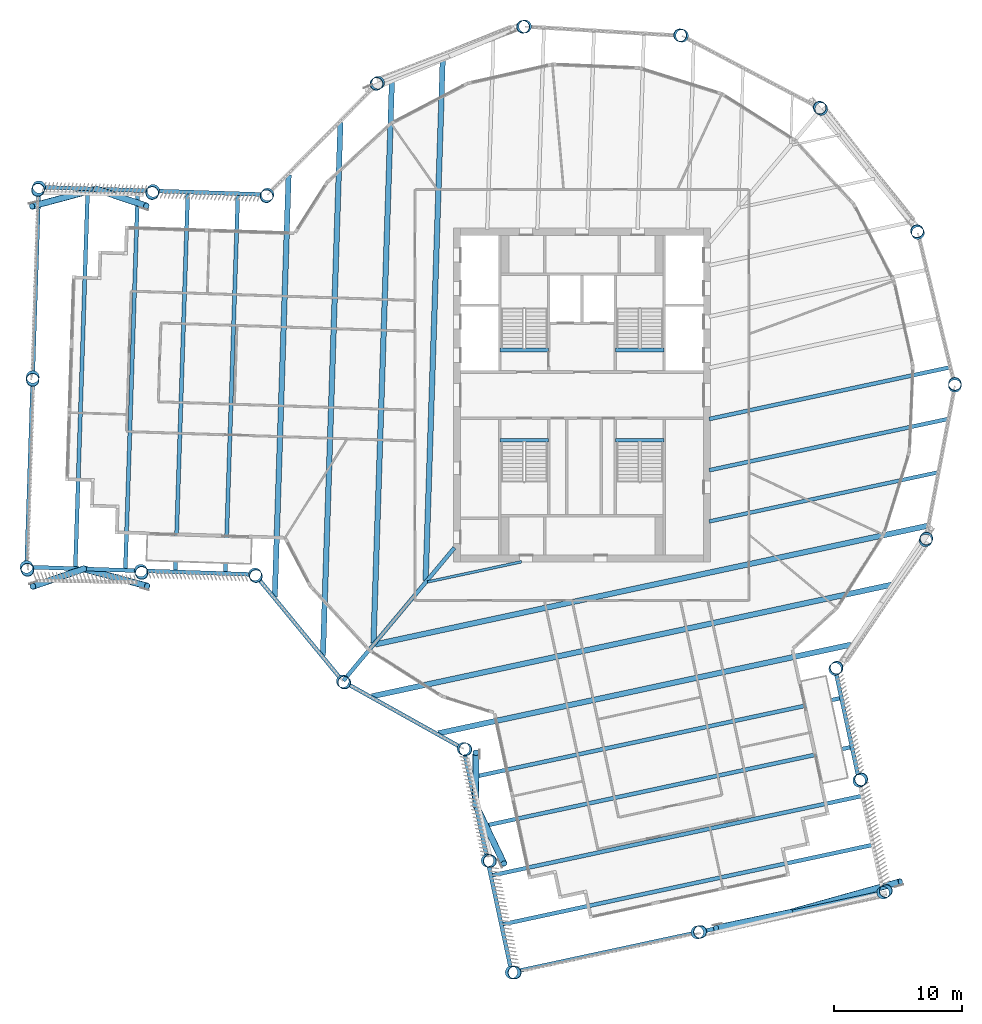
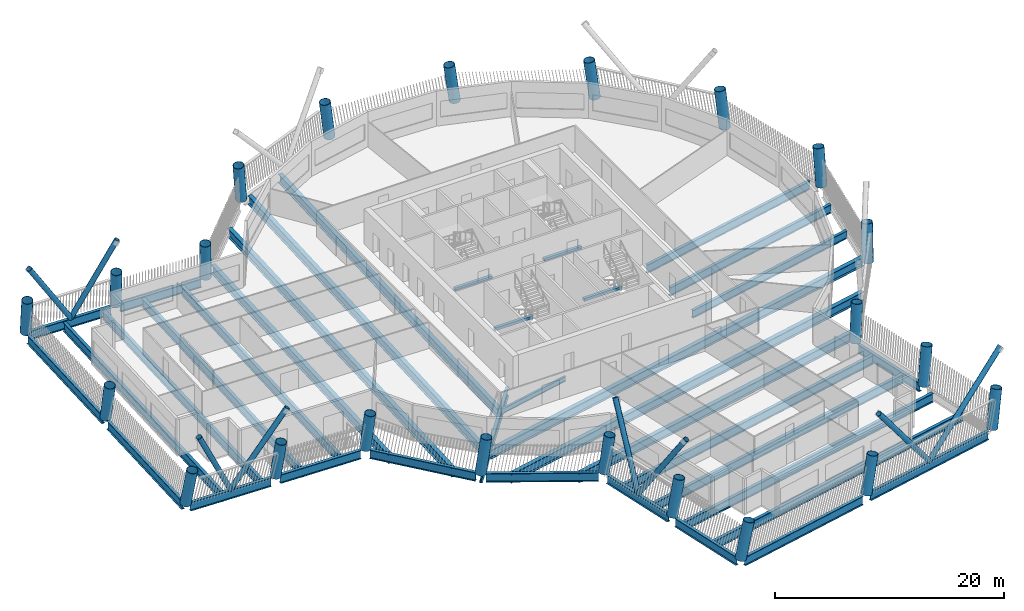
# One storey, part 1 of 21: 37 beams, 22 columns, 8 members.
"""IFC4 building model written with IfcOpenShell, lengths in metres."""

from ifc_helpers import new_model, si_unit, direction, frame, origin, origin_2d, place, context, subcontext, project, spatial, rectangle, hollow_circle, i_section, extrude, material, material_profile, profile_set, type_object, element, save


model = new_model("IFC4")

# Units and contexts
model_context = context("Model", 3, precision=1e-05, world=origin(), true_north=direction((0.0, 1.0)))
body_context = subcontext(model_context, "Body", "Model", "MODEL_VIEW")
ifc_project = project(units=[si_unit("LENGTHUNIT", "METRE"), si_unit("AREAUNIT", "SQUARE_METRE"), si_unit("VOLUMEUNIT", "CUBIC_METRE"), si_unit("PLANEANGLEUNIT", "RADIAN"), si_unit("MASSUNIT", "GRAM", prefix="KILO")], contexts=[model_context])

# Site, building, storey
site_placement = place(None, origin())
site = spatial("IfcSite", under=ifc_project, at=site_placement, CompositionType="ELEMENT")
building_placement = place(site_placement, origin())
building = spatial("IfcBuilding", under=site, at=building_placement, Name="Tarsis Ring Headquarters", CompositionType="ELEMENT")
storey_placement = place(building_placement, frame((0.0, 0.0, 278.60009765625)))
storey = spatial("IfcBuildingStorey", under=building, at=storey_placement, Name="L65", CompositionType="ELEMENT", Elevation=278.60009765625)

# Columns
ifc_material_1 = material(Name="Structural steel S355", Category="steel")
ifc_material_profile_1 = material_profile(ifc_material_1, hollow_circle(Radius=0.508056640625, WallThickness=0.0400390625, at=origin_2d()), Name="CHS 1016x40")
ifc_profile_set_1 = profile_set([ifc_material_profile_1], Name="Structural steel S355")
column_type = type_object("IfcColumnType", Name="XC Exo column CHS 1016x40", PredefinedType="COLUMN", material=ifc_profile_set_1)
for number, where, z_axis, x_axis, name in (
    (1, (-18.625244140625, -22.29150390625, 0.0009765625), (0.099631455445, -0.081804630187, 0.991655976418), (0.634575005715, 0.772861282587, 0.0), "Exo column XC6 F1"),
    (2, (-9.221923828125, -27.5458984375, 0.0009765625), (0.122613714114, -0.039815294198, 0.991655494342), (0.308846378368, 0.951111935878, 0.0), "Exo column XC6 AK"),
):
    element("IfcColumn", number, at=place(storey_placement, frame(where, z_axis=z_axis, x_axis=x_axis)), inside=storey, type_object=column_type, Name=name, PredefinedType="COLUMN", context=body_context, shape_type="SweptSolid", body=[
        extrude(hollow_circle(Radius=0.508056640625, WallThickness=0.0400390625, at=origin_2d()), origin(), (0.0, 0.0, 1.0), 3.930419921875),
    ])
column_1_placement = place(storey_placement, frame((-7.352783203125, -36.24951171875, 0.001220703125), z_axis=(0.160309523268, -0.031085462685, 0.986577189458), x_axis=(0.190363150408, 0.981713741865, 0.0)))
element("IfcColumn", 3, at=column_1_placement, inside=storey, type_object=column_type, Name="Exo column XC6 AI1", PredefinedType="COLUMN", context=body_context, shape_type="SweptSolid", body=[
    extrude(hollow_circle(Radius=0.508056640625, WallThickness=0.0400390625, at=origin_2d()), origin(), (0.0, 0.0, 1.0), 3.950439453125),
])
column_2_placement = place(storey_placement, frame((-5.483642578125, -44.953369140625, 0.00146484375), z_axis=(0.197401237683, -0.02234962691, 0.98006798006), x_axis=(0.112500530614, 0.993651664625, 0.0)))
element("IfcColumn", 4, at=column_2_placement, inside=storey, type_object=column_type, Name="Exo column XC6 AT1", PredefinedType="COLUMN", context=body_context, shape_type="SweptSolid", body=[
    extrude(hollow_circle(Radius=0.508056640625, WallThickness=0.0400390625, at=origin_2d()), origin(), (0.0, 0.0, 1.0), 3.976318359375),
])
column_3_placement = place(storey_placement, frame((8.986572265625, -41.845947265625, 0.00146484375), z_axis=(0.183545788104, 0.04110244266, 0.982151481634), x_axis=(-0.218523489126, 0.975831688715, 0.0)))
element("IfcColumn", 5, at=column_3_placement, inside=storey, type_object=column_type, Name="Exo column XC6 AT2", PredefinedType="COLUMN", context=body_context, shape_type="SweptSolid", body=[
    extrude(hollow_circle(Radius=0.508056640625, WallThickness=0.0400390625, at=origin_2d()), origin(), (0.0, 0.0, 1.0), 3.9677734375),
])
column_4_placement = place(storey_placement, frame((23.45654296875, -38.738525390625, 0.00146484375), z_axis=(0.169034311763, 0.104380069014, 0.980067448005), x_axis=(-0.525407338988, 0.850850826019, 0.0)))
element("IfcColumn", 6, at=column_4_placement, inside=storey, type_object=column_type, Name="Exo column XC6 AT3", PredefinedType="COLUMN", context=body_context, shape_type="SweptSolid", body=[
    extrude(hollow_circle(Radius=0.508056640625, WallThickness=0.0400390625, at=origin_2d()), origin(), (0.0, 0.0, 1.0), 3.976318359375),
])
column_5_placement = place(storey_placement, frame((21.58740234375, -30.03466796875, 0.001220703125), z_axis=(0.131757790211, 0.096469939268, 0.98657662426), x_axis=(-0.590756448881, 0.806849935307, 0.0)))
element("IfcColumn", 7, at=column_5_placement, inside=storey, type_object=column_type, Name="Exo column XC6 AO1", PredefinedType="COLUMN", context=body_context, shape_type="SweptSolid", body=[
    extrude(hollow_circle(Radius=0.508056640625, WallThickness=0.0400390625, at=origin_2d()), origin(), (0.0, 0.0, 1.0), 3.950439453125),
])
for number, where, z_axis, x_axis, name in (
    (8, (19.71826171875, -21.330810546875, 0.0009765625), (0.093916765839, 0.088326482158, 0.991654210723), (-0.685094146539, 0.72845453556, 0.0), "Exo column XC6 AJ"),
    (9, (26.757568359375, -11.306884765625, 0.0009765625), (0.049132380802, 0.11919726771, 0.991654183941), (-0.92453834817, 0.381089022096, 0.0), "Exo column XC6 R1"),
    (10, (29.039306640625, 0.7275390625, 0.0009765625), (-0.004347979152, 0.128886524865, 0.991649816611), (-0.99943146214, -0.033715760169, 0.0), "Exo column XC6 R2"),
    (11, (26.15771484375, 12.632568359375, 0.0009765625), (-0.057021133673, 0.115595130464, 0.991658386809), (-0.896823729797, -0.442388062307, 0.0), "Exo column XC6 R3"),
    (12, (18.625244140625, 22.29150390625, 0.0009765625), (-0.099631455445, 0.081804630187, 0.991655976418), (-0.634575005715, -0.772861282587, 0.0), "Exo column XC6 R4"),
    (13, (7.781005859375, 27.987060546875, 0.0009765625), (-0.124477647972, 0.033417652, 0.991659505924), (-0.25928207658, -0.965801638415, 0.0), "Exo column XC6 R5"),
    (14, (-4.446533203125, 28.7060546875, 0.0009765625), (-0.127271536383, -0.020808181888, 0.991649623402), (0.161352104781, -0.986896903573, 0.0), "Exo column XC6 R6"),
    (15, (-15.8837890625, 24.3212890625, 0.0009765625), (-0.107271994404, -0.071431843408, 0.991660330438), (0.554255229792, -0.832346766827, 0.0), "Exo column XC6 R7"),
    (16, (-24.49658203125, 15.61181640625, 0.0009765625), (-0.068326236041, -0.109259862905, 0.991662143992), (0.847862879102, -0.530215558279, 0.0), "Exo column XC6 BJ"),
):
    element("IfcColumn", number, at=place(storey_placement, frame(where, z_axis=z_axis, x_axis=x_axis)), inside=storey, type_object=column_type, Name=name, PredefinedType="COLUMN", context=body_context, shape_type="SweptSolid", body=[
        extrude(hollow_circle(Radius=0.508056640625, WallThickness=0.0400390625, at=origin_2d()), origin(), (0.0, 0.0, 1.0), 3.930419921875),
    ])
column_6_placement = place(storey_placement, frame((-33.39404296875, 15.90380859375, 0.001220703125), z_axis=(-0.068907480424, -0.148012031942, 0.986582078462), x_axis=(0.906569575709, -0.422056399547, 0.0)))
element("IfcColumn", 17, at=column_6_placement, inside=storey, type_object=column_type, Name="Exo column XC6 BO1", PredefinedType="COLUMN", context=body_context, shape_type="SweptSolid", body=[
    extrude(hollow_circle(Radius=0.508056640625, WallThickness=0.0400390625, at=origin_2d()), origin(), (0.0, 0.0, 1.0), 3.950439453125),
])
column_7_placement = place(storey_placement, frame((-42.29150390625, 16.19580078125, 0.00146484375), z_axis=(-0.069443823825, -0.186104535822, 0.980072781521), x_axis=(0.936899570678, -0.349598619082, 0.0)))
element("IfcColumn", 18, at=column_7_placement, inside=storey, type_object=column_type, Name="Exo column XC6 BT3", PredefinedType="COLUMN", context=body_context, shape_type="SweptSolid", body=[
    extrude(hollow_circle(Radius=0.508056640625, WallThickness=0.0400390625, at=origin_2d()), origin(), (0.0, 0.0, 1.0), 3.976318359375),
])
column_8_placement = place(storey_placement, frame((-42.77685546875, 1.40380859375, 0.00146484375), z_axis=(-0.004553263753, -0.188037486868, 0.982151297572), x_axis=(0.999706953992, -0.024207563677, 0.0)))
element("IfcColumn", 19, at=column_8_placement, inside=storey, type_object=column_type, Name="Exo column XC6 BT2", PredefinedType="COLUMN", context=body_context, shape_type="SweptSolid", body=[
    extrude(hollow_circle(Radius=0.508056640625, WallThickness=0.0400390625, at=origin_2d()), origin(), (0.0, 0.0, 1.0), 3.9677734375),
])
column_9_placement = place(storey_placement, frame((-43.262451171875, -13.38818359375, 0.00146484375), z_axis=(0.060356694538, -0.189236350527, 0.980074830339), x_axis=(0.952714441232, 0.303867065455, 0.0)))
element("IfcColumn", 20, at=column_9_placement, inside=storey, type_object=column_type, Name="Exo column XC6 BT1", PredefinedType="COLUMN", context=body_context, shape_type="SweptSolid", body=[
    extrude(hollow_circle(Radius=0.508056640625, WallThickness=0.0400390625, at=origin_2d()), origin(), (0.0, 0.0, 1.0), 3.976318359375),
])
column_10_placement = place(storey_placement, frame((-34.364990234375, -13.68017578125, 0.001220703125), z_axis=(0.061738433906, -0.151163372706, 0.98657893781), x_axis=(0.925763844419, 0.378102240627, 0.0)))
element("IfcColumn", 21, at=column_10_placement, inside=storey, type_object=column_type, Name="Exo column XC6 BI1", PredefinedType="COLUMN", context=body_context, shape_type="SweptSolid", body=[
    extrude(hollow_circle(Radius=0.508056640625, WallThickness=0.0400390625, at=origin_2d()), origin(), (0.0, 0.0, 1.0), 3.950439453125),
])
column_11_placement = place(storey_placement, frame((-25.467529296875, -13.97216796875, 0.0009765625), z_axis=(0.062983900591, -0.112488997999, 0.991654805663), x_axis=(0.872538877279, 0.488544683358, 0.0)))
element("IfcColumn", 22, at=column_11_placement, inside=storey, type_object=column_type, Name="Exo column XC6 BK", PredefinedType="COLUMN", context=body_context, shape_type="SweptSolid", body=[
    extrude(hollow_circle(Radius=0.508056640625, WallThickness=0.0400390625, at=origin_2d()), origin(), (0.0, 0.0, 1.0), 3.930419921875),
])

# Beams
ifc_material_profile_2 = material_profile(ifc_material_1, i_section(OverallWidth=0.209228515625, OverallDepth=0.533447265625, WebThickness=0.01025390625, FlangeThickness=0.015625, at=origin_2d()), Name="W21x62")
ifc_profile_set_2 = profile_set([ifc_material_profile_2], Name="Structural steel S355")
beam_type_1 = type_object("IfcBeamType", Name="FB Floor beam W21x62", PredefinedType="JOIST", material=ifc_profile_set_2)
beam_1_placement = place(storey_placement, frame((-12.03662109375, -14.551513671875, -0.4267578125), z_axis=(0.977710731387, 0.209956485326, 0.0), x_axis=(-0.209956485326, 0.977710731387, 0.0)))
element("IfcBeam", 23, at=beam_1_placement, inside=storey, type_object=beam_type_1, Name="Floor beam FB3", PredefinedType="JOIST", context=body_context, shape_type="SweptSolid", body=[
    extrude(i_section(OverallWidth=0.209228515625, OverallDepth=0.533447265625, WebThickness=0.01025390625, FlangeThickness=0.015625, at=origin_2d()), origin(), (0.0, 0.0, 1.0), 7.48974609375),
])
ifc_material_profile_3 = material_profile(ifc_material_1, i_section(OverallWidth=0.2919921875, OverallDepth=0.835693359375, WebThickness=0.013916015625, FlangeThickness=0.018798828125, at=origin_2d()), Name="W33x118")
ifc_profile_set_3 = profile_set([ifc_material_profile_3], Name="Structural steel S355")
beam_type_2 = type_object("IfcBeamType", Name="FB Floor beam W33x118", PredefinedType="JOIST", material=ifc_profile_set_3)
beam_2_placement = place(storey_placement, frame((9.90234375, -9.84033203125, -0.577880859375), z_axis=(0.977708872779, 0.209965140178, 0.0), x_axis=(-0.209965140178, 0.977708872779, 0.0)))
element("IfcBeam", 24, at=beam_2_placement, inside=storey, type_object=beam_type_2, Name="Floor beam FB7", PredefinedType="JOIST", context=body_context, shape_type="SweptSolid", body=[
    extrude(i_section(OverallWidth=0.2919921875, OverallDepth=0.835693359375, WebThickness=0.013916015625, FlangeThickness=0.018798828125, at=origin_2d()), origin(), (0.0, 0.0, 1.0), 18.19970703125),
])
ifc_material_profile_4 = material_profile(ifc_material_1, i_section(OverallWidth=0.3046875, OverallDepth=0.904296875, WebThickness=0.01513671875, FlangeThickness=0.02001953125, at=origin_2d()), Name="W36x135")
ifc_profile_set_4 = profile_set([ifc_material_profile_4], Name="Structural steel S355")
beam_type_3 = type_object("IfcBeamType", Name="FB Floor beam W36x135", PredefinedType="JOIST", material=ifc_profile_set_4)
beam_3_placement = place(storey_placement, frame((9.90234375, -1.862548828125, -0.6123046875), z_axis=(0.977707777458, 0.209970240506, 0.0), x_axis=(-0.209970240506, 0.977707777458, 0.0)))
element("IfcBeam", 25, at=beam_3_placement, inside=storey, type_object=beam_type_3, Name="Floor beam FB8", PredefinedType="JOIST", context=body_context, shape_type="SweptSolid", body=[
    extrude(i_section(OverallWidth=0.3046875, OverallDepth=0.904296875, WebThickness=0.01513671875, FlangeThickness=0.02001953125, at=origin_2d()), origin(), (0.0, 0.0, 1.0), 19.160888671875),
])
beam_4_placement = place(storey_placement, frame((9.90234375, -5.851318359375, -0.6123046875), z_axis=(0.977710019544, 0.209959800158, 0.0), x_axis=(-0.209959800158, 0.977710019544, 0.0)))
element("IfcBeam", 26, at=beam_4_placement, inside=storey, type_object=beam_type_3, Name="Floor beam FB8", PredefinedType="JOIST", context=body_context, shape_type="SweptSolid", body=[
    extrude(i_section(OverallWidth=0.3046875, OverallDepth=0.904296875, WebThickness=0.01513671875, FlangeThickness=0.02001953125, at=origin_2d()), origin(), (0.0, 0.0, 1.0), 19.005859375),
])
ifc_material_profile_5 = material_profile(ifc_material_1, i_section(OverallWidth=0.309814453125, OverallDepth=0.949951171875, WebThickness=0.0244140625, FlangeThickness=0.0439453125, at=origin_2d()), Name="W36x256")
ifc_profile_set_5 = profile_set([ifc_material_profile_5], Name="Structural steel S355")
beam_type_4 = type_object("IfcBeamType", Name="FB Floor beam W36x256", PredefinedType="JOIST", material=ifc_profile_set_5)
for number, where, z_axis, x_axis, name in (
    (27, (-8.6845703125, -29.787353515625, -0.635009765625), (0.977710608154, 0.209957059191, 0.0), (-0.209957059191, 0.977710608154, 0.0), "Floor beam FB11"),
    (28, (-7.86572265625, -33.600341796875, -0.635009765625), (0.977710608154, 0.209957059191, 0.0), (-0.209957059191, 0.977710608154, 0.0), "Floor beam FB11"),
):
    element("IfcBeam", number, at=place(storey_placement, frame(where, z_axis=z_axis, x_axis=x_axis)), inside=storey, type_object=beam_type_4, Name=name, PredefinedType="JOIST", context=body_context, shape_type="SweptSolid", body=[
        extrude(i_section(OverallWidth=0.309814453125, OverallDepth=0.949951171875, WebThickness=0.0244140625, FlangeThickness=0.0439453125, at=origin_2d()), origin(), (0.0, 0.0, 1.0), 29.489990234375),
    ])
beam_5_placement = place(storey_placement, frame((-7.046875, -37.41357421875, -0.635009765625), z_axis=(0.977708908688, 0.209964972965, 0.0), x_axis=(-0.209964972965, 0.977708908688, 0.0)))
element("IfcBeam", 29, at=beam_5_placement, inside=storey, type_object=beam_type_4, Name="Floor beam FB11", PredefinedType="JOIST", context=body_context, shape_type="SweptSolid", body=[
    extrude(i_section(OverallWidth=0.309814453125, OverallDepth=0.949951171875, WebThickness=0.0244140625, FlangeThickness=0.0439453125, at=origin_2d()), origin(), (0.0, 0.0, 1.0), 29.490234375),
])
beam_6_placement = place(storey_placement, frame((-6.22802734375, -41.2265625, -0.635009765625), z_axis=(0.977710608154, 0.209957059191, 0.0), x_axis=(-0.209957059191, 0.977710608154, 0.0)))
element("IfcBeam", 30, at=beam_6_placement, inside=storey, type_object=beam_type_4, Name="Floor beam FB11", PredefinedType="JOIST", context=body_context, shape_type="SweptSolid", body=[
    extrude(i_section(OverallWidth=0.309814453125, OverallDepth=0.949951171875, WebThickness=0.0244140625, FlangeThickness=0.0439453125, at=origin_2d()), origin(), (0.0, 0.0, 1.0), 29.489990234375),
])
for number, where, z_axis, x_axis, name in (
    (31, (-26.801513671875, 15.6328125, -0.635009765625), (-0.032808456678, -0.999461657679, 0.0), (0.999461657679, -0.032808456678, 0.0), "Floor beam FB11"),
    (32, (-30.699462890625, 15.7607421875, -0.635009765625), (-0.032808456678, -0.999461657679, 0.0), (0.999461657679, -0.032808456678, 0.0), "Floor beam FB11"),
    (33, (-34.597412109375, 15.888671875, -0.635009765625), (-0.032808456678, -0.999461657679, 0.0), (0.999461657679, -0.032808456678, 0.0), "Floor beam FB11"),
    (34, (-38.495361328125, 16.0166015625, -0.635009765625), (-0.032800186894, -0.99946192911, 0.0), (0.99946192911, -0.032800186894, 0.0), "Floor beam FB11"),
):
    element("IfcBeam", number, at=place(storey_placement, frame(where, z_axis=z_axis, x_axis=x_axis)), inside=storey, type_object=beam_type_4, Name=name, PredefinedType="JOIST", context=body_context, shape_type="SweptSolid", body=[
        extrude(i_section(OverallWidth=0.309814453125, OverallDepth=0.949951171875, WebThickness=0.0244140625, FlangeThickness=0.0439453125, at=origin_2d()), origin(), (0.0, 0.0, 1.0), 29.490234375),
    ])
beam_type_5 = type_object("IfcBeamType", Name="FB Floor beam W36x256 spine", PredefinedType="BEAM", material=ifc_profile_set_5)
beam_7_placement = place(storey_placement, frame((-9.935791015625, -11.8916015625, -0.635009765625), z_axis=(-0.641182156064, -0.767388716847, 0.0), x_axis=(0.767388716847, -0.641182156064, 0.0)))
element("IfcBeam", 35, at=beam_7_placement, inside=storey, type_object=beam_type_5, Name="Floor beam SB11", PredefinedType="BEAM", context=body_context, shape_type="SweptSolid", body=[
    extrude(i_section(OverallWidth=0.309814453125, OverallDepth=0.949951171875, WebThickness=0.0244140625, FlangeThickness=0.0439453125, at=origin_2d()), origin(), (0.0, 0.0, 1.0), 13.49462890625),
])
ifc_material_profile_6 = material_profile(ifc_material_1, i_section(OverallWidth=0.42431640625, OverallDepth=0.947509765625, WebThickness=0.02392578125, FlangeThickness=0.042724609375, at=origin_2d()), Name="W36x302")
ifc_profile_set_6 = profile_set([ifc_material_profile_6], Name="Structural steel S355")
beam_type_6 = type_object("IfcBeamType", Name="FB Floor beam W36x302", PredefinedType="JOIST", material=ifc_profile_set_6)
beam_8_placement = place(storey_placement, frame((-16.098388671875, -19.41259765625, -0.6337890625), z_axis=(0.977710536975, 0.209957390651, 0.0), x_axis=(-0.209957390651, 0.977710536975, 0.0)))
element("IfcBeam", 36, at=beam_8_placement, inside=storey, type_object=beam_type_6, Name="Floor beam FB12", PredefinedType="JOIST", context=body_context, shape_type="SweptSolid", body=[
    extrude(i_section(OverallWidth=0.42431640625, OverallDepth=0.947509765625, WebThickness=0.02392578125, FlangeThickness=0.042724609375, at=origin_2d()), origin(), (0.0, 0.0, 1.0), 43.98681640625),
])
beam_9_placement = place(storey_placement, frame((-16.35693359375, -23.457275390625, -0.6337890625), z_axis=(0.977709047589, 0.209964326168, 0.0), x_axis=(-0.209964326168, 0.977709047589, 0.0)))
element("IfcBeam", 37, at=beam_9_placement, inside=storey, type_object=beam_type_6, Name="Floor beam FB12", PredefinedType="JOIST", context=body_context, shape_type="SweptSolid", body=[
    extrude(i_section(OverallWidth=0.42431640625, OverallDepth=0.947509765625, WebThickness=0.02392578125, FlangeThickness=0.042724609375, at=origin_2d()), origin(), (0.0, 0.0, 1.0), 41.523681640625),
])
beam_10_placement = place(storey_placement, frame((-11.2001953125, -26.338623046875, -0.6337890625), z_axis=(0.977709508224, 0.209962181184, 0.0), x_axis=(-0.209962181184, 0.977709508224, 0.0)))
element("IfcBeam", 38, at=beam_10_placement, inside=storey, type_object=beam_type_6, Name="Floor beam FB12", PredefinedType="JOIST", context=body_context, shape_type="SweptSolid", body=[
    extrude(i_section(OverallWidth=0.42431640625, OverallDepth=0.947509765625, WebThickness=0.02392578125, FlangeThickness=0.042724609375, at=origin_2d()), origin(), (0.0, 0.0, 1.0), 32.87548828125),
])
beam_11_placement = place(storey_placement, frame((-10.8466796875, 26.18505859375, -0.6337890625), z_axis=(-0.032807349481, -0.999461694023, 0.0), x_axis=(0.999461694023, -0.032807349481, 0.0)))
element("IfcBeam", 39, at=beam_11_placement, inside=storey, type_object=beam_type_6, Name="Floor beam FB12", PredefinedType="JOIST", context=body_context, shape_type="SweptSolid", body=[
    extrude(i_section(OverallWidth=0.42431640625, OverallDepth=0.947509765625, WebThickness=0.02392578125, FlangeThickness=0.042724609375, at=origin_2d()), origin(), (0.0, 0.0, 1.0), 40.638916015625),
])
beam_12_placement = place(storey_placement, frame((-14.798583984375, 24.669921875, -0.6337890625), z_axis=(-0.032808087488, -0.999461669798, 0.0), x_axis=(0.999461669798, -0.032808087488, 0.0)))
element("IfcBeam", 40, at=beam_12_placement, inside=storey, type_object=beam_type_6, Name="Floor beam FB12", PredefinedType="JOIST", context=body_context, shape_type="SweptSolid", body=[
    extrude(i_section(OverallWidth=0.42431640625, OverallDepth=0.947509765625, WebThickness=0.02392578125, FlangeThickness=0.042724609375, at=origin_2d()), origin(), (0.0, 0.0, 1.0), 43.986572265625),
])
beam_13_placement = place(storey_placement, frame((-18.8134765625, 21.23486328125, -0.6337890625), z_axis=(-0.032807982497, -0.999461673244, 0.0), x_axis=(0.999461673244, -0.032807982497, 0.0)))
element("IfcBeam", 41, at=beam_13_placement, inside=storey, type_object=beam_type_6, Name="Floor beam FB12", PredefinedType="JOIST", context=body_context, shape_type="SweptSolid", body=[
    extrude(i_section(OverallWidth=0.42431640625, OverallDepth=0.947509765625, WebThickness=0.02392578125, FlangeThickness=0.042724609375, at=origin_2d()), origin(), (0.0, 0.0, 1.0), 41.523681640625),
])
beam_14_placement = place(storey_placement, frame((-22.849609375, 17.15380859375, -0.6337890625), z_axis=(-0.032801746961, -0.99946187791, 0.0), x_axis=(0.99946187791, -0.032801746961, 0.0)))
element("IfcBeam", 42, at=beam_14_placement, inside=storey, type_object=beam_type_6, Name="Floor beam FB12", PredefinedType="JOIST", context=body_context, shape_type="SweptSolid", body=[
    extrude(i_section(OverallWidth=0.42431640625, OverallDepth=0.947509765625, WebThickness=0.02392578125, FlangeThickness=0.042724609375, at=origin_2d()), origin(), (0.0, 0.0, 1.0), 32.875244140625),
])
ifc_material_2 = material(Name="Concrete C40/50", Category="concrete")
ifc_material_profile_7 = material_profile(ifc_material_2, rectangle(XDim=0.300048828125, YDim=0.300048828125, at=origin_2d()), Name="Stair head beam 300x300 C40/50")
ifc_profile_set_7 = profile_set([ifc_material_profile_7], Name="Concrete C40/50")
beam_type_7 = type_object("IfcBeamType", Name="Stair head beam 300x300 C40/50", PredefinedType="BEAM", material=ifc_profile_set_7)
for number, where, z_axis, x_axis, name in (
    (43, (-6.39990234375, 3.510009765625, -0.31005859375), (1.0, 0.0, 0.0), (0.0, 1.0, 0.0), "Stair head beam L65 Firefighting stair"),
    (44, (2.60009765625, 3.510009765625, -0.31005859375), (1.0, 0.0, 0.0), (0.0, 1.0, 0.0), "Stair head beam L65 Exit stair B"),
    (45, (-6.39990234375, -3.510009765625, -0.31005859375), (1.0, 0.0, 0.0), (0.0, 1.0, 0.0), "Stair head beam L65 Exit stair C"),
    (46, (2.60009765625, -3.510009765625, -0.31005859375), (1.0, 0.0, 0.0), (0.0, 1.0, 0.0), "Stair head beam L65 Exit stair D"),
):
    element("IfcBeam", number, at=place(storey_placement, frame(where, z_axis=z_axis, x_axis=x_axis)), inside=storey, type_object=beam_type_7, Name=name, PredefinedType="BEAM", context=body_context, shape_type="SweptSolid", body=[
        extrude(rectangle(XDim=0.300048828125, YDim=0.300048828125, at=origin_2d()), origin(), (0.0, 0.0, 1.0), 3.7998046875),
    ])

# Members
ifc_material_profile_8 = material_profile(ifc_material_1, hollow_circle(Radius=0.25390625, WallThickness=0.02001953125, at=origin_2d()), Name="CHS 508x20")
ifc_profile_set_8 = profile_set([ifc_material_profile_8], Name="Structural steel S355")
member_type = type_object("IfcMemberType", Name="XD X brace CHS 508x20", PredefinedType="BRACE", material=ifc_profile_set_8)
member_1_placement = place(storey_placement, frame((-8.28759765625, -31.897705078125, 0.0), z_axis=(0.236696338738, -0.492477286469, 0.837520725439), x_axis=(0.901303580693, 0.433188013951, 0.0)))
element("IfcMember", 47, at=member_1_placement, inside=storey, type_object=member_type, Name="X brace XD2", PredefinedType="BRACE", context=body_context, shape_type="SweptSolid", body=[
    extrude(hollow_circle(Radius=0.25390625, WallThickness=0.02001953125, at=origin_2d()), origin(), (0.0, 0.0, 1.0), 9.31298828125),
])
member_2_placement = place(storey_placement, frame((-8.28759765625, -31.897705078125, 0.0), z_axis=(0.003695219825, 0.460541081326, 0.887630698974), x_axis=(-0.999967812085, 0.008023390384, 0.0)))
element("IfcMember", 48, at=member_2_placement, inside=storey, type_object=member_type, Name="X brace XD2", PredefinedType="BRACE", context=body_context, shape_type="SweptSolid", body=[
    extrude(hollow_circle(Radius=0.25390625, WallThickness=0.02001953125, at=origin_2d()), origin(), (0.0, 0.0, 1.0), 8.787109375),
])
member_3_placement = place(storey_placement, frame((16.221435546875, -40.292236328125, 0.0), z_axis=(0.724342460933, 0.202431366421, 0.659052001877), x_axis=(-0.269155795015, 0.963096650399, 0.0)))
element("IfcMember", 49, at=member_3_placement, inside=storey, type_object=member_type, Name="X brace XD2", PredefinedType="BRACE", context=body_context, shape_type="SweptSolid", body=[
    extrude(hollow_circle(Radius=0.25390625, WallThickness=0.02001953125, at=origin_2d()), origin(), (0.0, 0.0, 1.0), 11.8349609375),
])
member_4_placement = place(storey_placement, frame((16.221435546875, -40.292236328125, 0.0), z_axis=(-0.590797289596, -0.124143289227, 0.79721202095), x_axis=(0.20563758129, -0.978628216005, 0.0)))
element("IfcMember", 50, at=member_4_placement, inside=storey, type_object=member_type, Name="X brace XD2", PredefinedType="BRACE", context=body_context, shape_type="SweptSolid", body=[
    extrude(hollow_circle(Radius=0.25390625, WallThickness=0.02001953125, at=origin_2d()), origin(), (0.0, 0.0, 1.0), 9.783935546875),
])
member_5_placement = place(storey_placement, frame((-37.8427734375, 16.050048828125, 0.0), z_axis=(-0.533205059444, -0.143224970204, 0.833773933685), x_axis=(0.259415713684, -0.965765751874, 0.0)))
element("IfcMember", 51, at=member_5_placement, inside=storey, type_object=member_type, Name="X brace XD2", PredefinedType="BRACE", context=body_context, shape_type="SweptSolid", body=[
    extrude(hollow_circle(Radius=0.25390625, WallThickness=0.02001953125, at=origin_2d()), origin(), (0.0, 0.0, 1.0), 9.354736328125),
])
member_6_placement = place(storey_placement, frame((-37.8427734375, 16.050048828125, 0.0), z_axis=(0.443458984059, -0.149672939293, 0.883709307805), x_axis=(0.319789255416, 0.947488697621, 0.0)))
element("IfcMember", 52, at=member_6_placement, inside=storey, type_object=member_type, Name="X brace XD2", PredefinedType="BRACE", context=body_context, shape_type="SweptSolid", body=[
    extrude(hollow_circle(Radius=0.25390625, WallThickness=0.02001953125, at=origin_2d()), origin(), (0.0, 0.0, 1.0), 8.826171875),
])
member_7_placement = place(storey_placement, frame((-38.813720703125, -13.533935546875, 0.0), z_axis=(0.530079996441, -0.143252137418, 0.835759548255), x_axis=(0.260887425655, 0.965369230468, 0.0)))
element("IfcMember", 53, at=member_7_placement, inside=storey, type_object=member_type, Name="X brace XD2", PredefinedType="BRACE", context=body_context, shape_type="SweptSolid", body=[
    extrude(hollow_circle(Radius=0.25390625, WallThickness=0.02001953125, at=origin_2d()), origin(), (0.0, 0.0, 1.0), 9.33251953125),
])
member_8_placement = place(storey_placement, frame((-38.813720703125, -13.533935546875, 0.0), z_axis=(-0.446915595644, -0.153192734729, 0.881361694423), x_axis=(0.324257143663, -0.94596897665, 0.0)))
element("IfcMember", 54, at=member_8_placement, inside=storey, type_object=member_type, Name="X brace XD2", PredefinedType="BRACE", context=body_context, shape_type="SweptSolid", body=[
    extrude(hollow_circle(Radius=0.25390625, WallThickness=0.02001953125, at=origin_2d()), origin(), (0.0, 0.0, 1.0), 8.849609375),
])

# Beams
ifc_material_profile_9 = material_profile(ifc_material_1, i_section(OverallWidth=0.309814453125, OverallDepth=0.93212890625, WebThickness=0.02099609375, FlangeThickness=0.034423828125, at=origin_2d()), Name="W36x210")
ifc_profile_set_9 = profile_set([ifc_material_profile_9], Name="Structural steel S355")
beam_type_8 = type_object("IfcBeamType", Name="XG Ring girder W36x210", PredefinedType="BEAM", material=ifc_profile_set_9)
beam_15_placement = place(storey_placement, frame((-18.226318359375, -22.514404296875, -0.46630859375), z_axis=(0.872963024033, -0.487786386312, 0.0), x_axis=(0.487786386312, 0.872963024033, 0.0)))
element("IfcBeam", 55, at=beam_15_placement, inside=storey, type_object=beam_type_8, Name="Ring girder XG3", PredefinedType="BEAM", context=body_context, shape_type="SweptSolid", body=[
    extrude(i_section(OverallWidth=0.309814453125, OverallDepth=0.93212890625, WebThickness=0.02099609375, FlangeThickness=0.034423828125, at=origin_2d()), origin(), (0.0, 0.0, 1.0), 9.857421875),
])
for number, where, z_axis, x_axis, name in (
    (56, (-9.1259765625, -27.99267578125, -0.46630859375), (0.209944442686, -0.977713317381, 0.0), (0.977713317381, 0.209944442686, 0.0), "Ring girder XG3"),
    (57, (-7.2568359375, -36.696533203125, -0.46630859375), (0.209944442686, -0.977713317381, 0.0), (0.977713317381, 0.209944442686, 0.0), "Ring girder XG3"),
):
    element("IfcBeam", number, at=place(storey_placement, frame(where, z_axis=z_axis, x_axis=x_axis)), inside=storey, type_object=beam_type_8, Name=name, PredefinedType="BEAM", context=body_context, shape_type="SweptSolid", body=[
        extrude(i_section(OverallWidth=0.309814453125, OverallDepth=0.93212890625, WebThickness=0.02099609375, FlangeThickness=0.034423828125, at=origin_2d()), origin(), (0.0, 0.0, 1.0), 7.98779296875),
    ])
beam_16_placement = place(storey_placement, frame((-5.036865234375, -44.857421875, -0.46630859375), z_axis=(0.97770865924, 0.209966134525, 0.0), x_axis=(-0.209966134525, 0.97770865924, 0.0)))
element("IfcBeam", 58, at=beam_16_placement, inside=storey, type_object=beam_type_8, Name="Ring girder XG3", PredefinedType="BEAM", context=body_context, shape_type="SweptSolid", body=[
    extrude(i_section(OverallWidth=0.309814453125, OverallDepth=0.93212890625, WebThickness=0.02099609375, FlangeThickness=0.034423828125, at=origin_2d()), origin(), (0.0, 0.0, 1.0), 13.8857421875),
])
beam_17_placement = place(storey_placement, frame((9.433349609375, -41.75, -0.46630859375), z_axis=(0.977707884097, 0.209969743951, 0.0), x_axis=(-0.209969743951, 0.977707884097, 0.0)))
element("IfcBeam", 59, at=beam_17_placement, inside=storey, type_object=beam_type_8, Name="Ring girder XG3", PredefinedType="BEAM", context=body_context, shape_type="SweptSolid", body=[
    extrude(i_section(OverallWidth=0.309814453125, OverallDepth=0.93212890625, WebThickness=0.02099609375, FlangeThickness=0.034423828125, at=origin_2d()), origin(), (0.0, 0.0, 1.0), 13.885498046875),
])
beam_18_placement = place(storey_placement, frame((21.4912109375, -29.587646484375, -0.46630859375), z_axis=(-0.209950716613, 0.97771197016, 0.0), x_axis=(-0.97771197016, -0.209950716613, 0.0)))
element("IfcBeam", 60, at=beam_18_placement, inside=storey, type_object=beam_type_8, Name="Ring girder XG3", PredefinedType="BEAM", context=body_context, shape_type="SweptSolid", body=[
    extrude(i_section(OverallWidth=0.309814453125, OverallDepth=0.93212890625, WebThickness=0.02099609375, FlangeThickness=0.034423828125, at=origin_2d()), origin(), (0.0, 0.0, 1.0), 7.987548828125),
])
for number, where, z_axis, x_axis, name in (
    (61, (-24.953369140625, 15.626953125, -0.46630859375), (-0.999461103541, 0.032825333329, 0.0), (-0.032825333329, -0.999461103541, 0.0), "Ring girder XG3"),
    (62, (-33.850830078125, 15.919189453125, -0.46630859375), (-0.999462105796, 0.032794802591, 0.0), (-0.032794802591, -0.999462105796, 0.0), "Ring girder XG3"),
):
    element("IfcBeam", number, at=place(storey_placement, frame(where, z_axis=z_axis, x_axis=x_axis)), inside=storey, type_object=beam_type_8, Name=name, PredefinedType="BEAM", context=body_context, shape_type="SweptSolid", body=[
        extrude(i_section(OverallWidth=0.309814453125, OverallDepth=0.93212890625, WebThickness=0.02099609375, FlangeThickness=0.034423828125, at=origin_2d()), origin(), (0.0, 0.0, 1.0), 7.988037109375),
    ])
for number, where, z_axis, x_axis, name in (
    (63, (-42.306396484375, 15.7392578125, -0.46630859375), (-0.03280843442, -0.99946165841, 0.0), (0.99946165841, -0.03280843442, 0.0), "Ring girder XG3"),
    (64, (-42.7919921875, 0.947265625, -0.46630859375), (-0.03280843442, -0.99946165841, 0.0), (0.99946165841, -0.03280843442, 0.0), "Ring girder XG3"),
):
    element("IfcBeam", number, at=place(storey_placement, frame(where, z_axis=z_axis, x_axis=x_axis)), inside=storey, type_object=beam_type_8, Name=name, PredefinedType="BEAM", context=body_context, shape_type="SweptSolid", body=[
        extrude(i_section(OverallWidth=0.309814453125, OverallDepth=0.93212890625, WebThickness=0.02099609375, FlangeThickness=0.034423828125, at=origin_2d()), origin(), (0.0, 0.0, 1.0), 13.8857421875),
    ])
beam_19_placement = place(storey_placement, frame((-42.805419921875, -13.40283203125, -0.46630859375), z_axis=(0.999461070607, -0.03282633608, 0.0), x_axis=(0.03282633608, 0.999461070607, 0.0)))
element("IfcBeam", 65, at=beam_19_placement, inside=storey, type_object=beam_type_8, Name="Ring girder XG3", PredefinedType="BEAM", context=body_context, shape_type="SweptSolid", body=[
    extrude(i_section(OverallWidth=0.309814453125, OverallDepth=0.93212890625, WebThickness=0.02099609375, FlangeThickness=0.034423828125, at=origin_2d()), origin(), (0.0, 0.0, 1.0), 7.98779296875),
])
beam_20_placement = place(storey_placement, frame((-33.908203125, -13.695068359375, -0.46630859375), z_axis=(0.999462105796, -0.032794802591, 0.0), x_axis=(0.032794802591, 0.999462105796, 0.0)))
element("IfcBeam", 66, at=beam_20_placement, inside=storey, type_object=beam_type_8, Name="Ring girder XG3", PredefinedType="BEAM", context=body_context, shape_type="SweptSolid", body=[
    extrude(i_section(OverallWidth=0.309814453125, OverallDepth=0.93212890625, WebThickness=0.02099609375, FlangeThickness=0.034423828125, at=origin_2d()), origin(), (0.0, 0.0, 1.0), 7.988037109375),
])
beam_21_placement = place(storey_placement, frame((-25.17724609375, -14.3251953125, -0.46630859375), z_axis=(0.63520620734, -0.772342588595, 0.0), x_axis=(0.772342588595, 0.63520620734, 0.0)))
element("IfcBeam", 67, at=beam_21_placement, inside=storey, type_object=beam_type_8, Name="Ring girder XG3", PredefinedType="BEAM", context=body_context, shape_type="SweptSolid", body=[
    extrude(i_section(OverallWidth=0.309814453125, OverallDepth=0.93212890625, WebThickness=0.02099609375, FlangeThickness=0.034423828125, at=origin_2d()), origin(), (0.0, 0.0, 1.0), 9.857421875),
])

save(model, "model.ifc")
